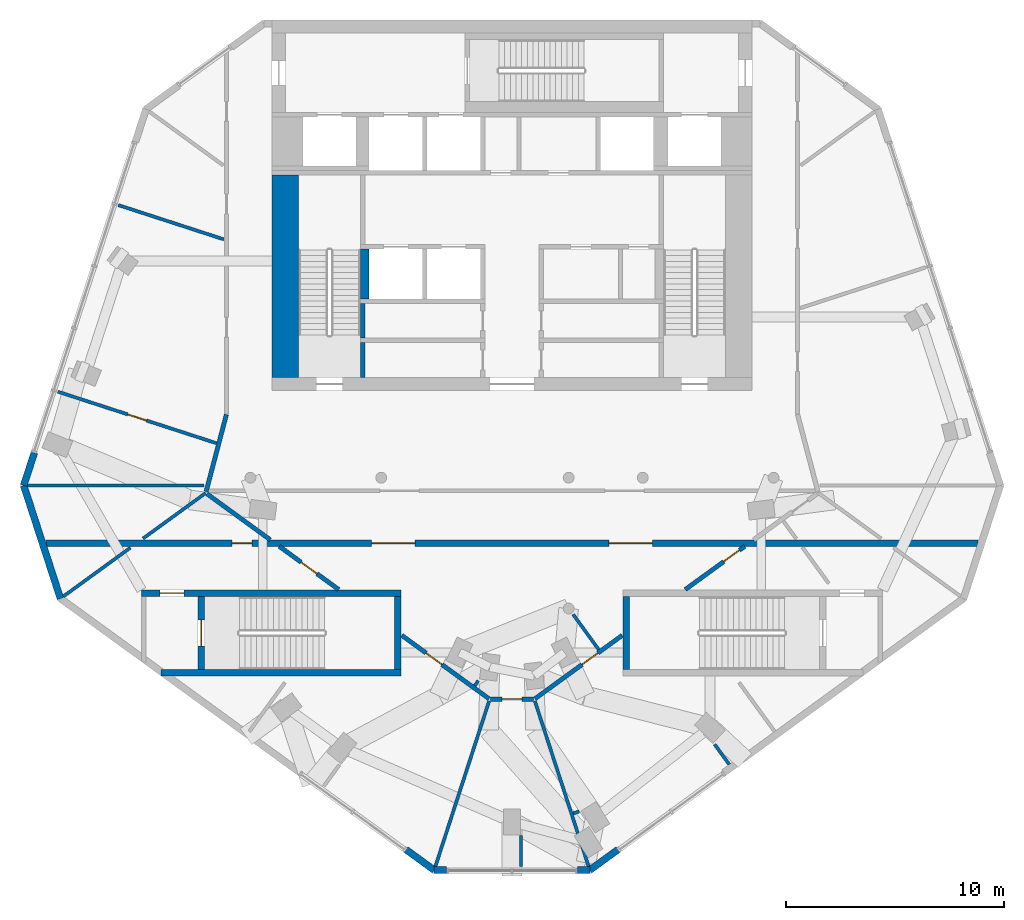
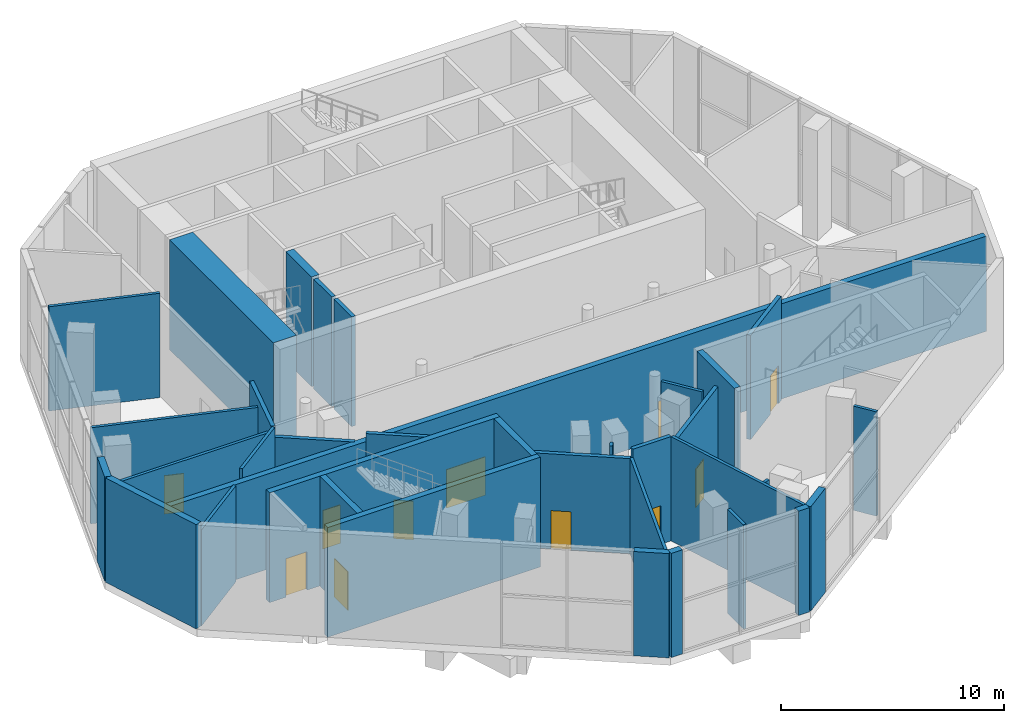
# One storey, part 6 of 11: 35 walls, 11 doors, 11 openings.
"""IFC4 building model written with IfcOpenShell, lengths in metres."""

from ifc_helpers import new_model, si_unit, direction, frame, frame_2d, origin, place, context, subcontext, project, spatial, rectangle, extrude, material, layer, layer_set, type_object, element, fill, save


model = new_model("IFC4")

# Units and contexts
model_context = context("Model", 3, precision=1e-05, world=origin(), true_north=direction((0.0, 1.0)))
body_context = subcontext(model_context, "Body", "Model", "MODEL_VIEW")
ifc_project = project(units=[si_unit("LENGTHUNIT", "METRE"), si_unit("AREAUNIT", "SQUARE_METRE"), si_unit("VOLUMEUNIT", "CUBIC_METRE"), si_unit("PLANEANGLEUNIT", "RADIAN"), si_unit("MASSUNIT", "GRAM", prefix="KILO")], contexts=[model_context])

# Site, building, storey
site_placement = place(None, origin())
site = spatial("IfcSite", under=ifc_project, at=site_placement, CompositionType="ELEMENT")
building_placement = place(site_placement, origin())
building = spatial("IfcBuilding", under=site, at=building_placement, Name="White Candle Pilgrim Tower", CompositionType="ELEMENT")
storey_placement = place(building_placement, frame((0.0, 0.0, 300.10009765625)))
storey = spatial("IfcBuildingStorey", under=building, at=storey_placement, Name="L71", CompositionType="ELEMENT", Elevation=300.10009765625)

# Wall, opening, door
ifc_material_1 = material(Name="Gypsum board on steel studs", Category="steel")
ifc_layer_1 = layer(ifc_material_1, 0.199951171875)
ifc_layer_set_1 = layer_set([ifc_layer_1], Name="Corridor wall 200 mm EI 45")
wall_type_1 = type_object("IfcWallType", Name="Corridor wall 200 mm EI 45", PredefinedType="PARTITIONING", material=ifc_layer_set_1)
wall_1_placement = place(storey_placement, frame((80.67626953125, 63.85009765625, 0.0), z_axis=(0.0, 0.0, 1.0), x_axis=(-0.809017922832, -0.587783974379, 0.0)))
wall_1 = element("IfcWall", 1, at=wall_1_placement, inside=storey, type_object=wall_type_1, Name="WL-L71-P005", PredefinedType="PARTITIONING", context=body_context, shape_type="SweptSolid", body=[
    extrude(rectangle(XDim=3.3701171875, YDim=0.199951171875, at=frame_2d((1.68505859375, 0.0))), origin(), (0.0, 0.0, 1.0), 5.699951171875),
])
opening_1_placement = place(wall_1_placement, frame((0.2919921875, 0.0, 0.0)))
opening_1 = element("IfcOpeningElement", 2, at=opening_1_placement, cuts=wall_1, Name="Opening L71-108", PredefinedType="OPENING", context=body_context, shape_type="SweptSolid", body=[
    extrude(rectangle(XDim=0.89990234375, YDim=2.10009765625, at=frame_2d((0.449951171875, 1.050048828125))), frame((0.0, 0.10986328125, 0.0), z_axis=(0.0, -1.0, 0.0), x_axis=(1.0, 0.0, 0.0)), (0.0, 0.0, 1.0), 0.219970703125),
])
ifc_material_2 = material(Name="Steel door leaf", Category="steel")
door_type_1 = type_object("IfcDoorType", Name="Fire door 900 x 2100 EI 30", OperationType="NOTDEFINED", PredefinedType="DOOR", material=ifc_material_2)
door_1_placement = place(opening_1_placement, origin())
door_1 = element("IfcDoor", 3, at=door_1_placement, inside=storey, type_object=door_type_1, Name="Door L71-108", OperationType="SINGLE_SWING_RIGHT", OverallHeight=2.10009765625, OverallWidth=0.89990234375, PredefinedType="DOOR", context=body_context, shape_type="SweptSolid", body=[
    extrude(rectangle(XDim=0.89990234375, YDim=2.10009765625, at=frame_2d((0.449951171875, 1.050048828125))), frame((0.0, 0.02490234375, 0.0), z_axis=(0.0, -1.0, 0.0), x_axis=(1.0, 0.0, 0.0)), (0.0, 0.0, 1.0), 0.050048828125),
])
fill(opening_1, door_1)

wall_2_placement = place(storey_placement, frame((75.058837890625, 59.768798828125, 0.0), z_axis=(0.0, 0.0, 1.0), x_axis=(-0.809010774922, -0.587793812539, 0.0)))
wall_2 = element("IfcWall", 4, at=wall_2_placement, inside=storey, type_object=wall_type_1, Name="WL-L71-P006", PredefinedType="PARTITIONING", context=body_context, shape_type="SweptSolid", body=[
    extrude(rectangle(XDim=4.956298828125, YDim=0.199951171875, at=frame_2d((2.47802734375, 0.0))), origin(), (0.0, 0.0, 1.0), 5.199951171875),
])
opening_2_placement = place(wall_2_placement, frame((1.37939453125, 0.0, 0.0)))
opening_2 = element("IfcOpeningElement", 5, at=opening_2_placement, cuts=wall_2, Name="Opening L71-107", PredefinedType="OPENING", context=body_context, shape_type="SweptSolid", body=[
    extrude(rectangle(XDim=0.89990234375, YDim=2.10009765625, at=frame_2d((0.449951171875, 1.050048828125))), frame((0.0, 0.10986328125, 0.0), z_axis=(0.0, -1.0, 0.0), x_axis=(1.0, 0.0, 0.0)), (0.0, 0.0, 1.0), 0.219970703125),
])
door_2_placement = place(opening_2_placement, origin())
door_2 = element("IfcDoor", 6, at=door_2_placement, inside=storey, type_object=door_type_1, Name="Door L71-107", OperationType="SINGLE_SWING_LEFT", OverallHeight=2.10009765625, OverallWidth=0.89990234375, PredefinedType="DOOR", context=body_context, shape_type="SweptSolid", body=[
    extrude(rectangle(XDim=0.89990234375, YDim=2.10009765625, at=frame_2d((0.449951171875, 1.050048828125))), frame((0.0, 0.02490234375, 0.0), z_axis=(0.0, -1.0, 0.0), x_axis=(1.0, 0.0, 0.0)), (0.0, 0.0, 1.0), 0.050048828125),
])
fill(opening_2, door_2)

wall_3_placement = place(storey_placement, frame((70.990234375, 56.836181640625, 0.0), z_axis=(0.0, 0.0, 1.0), x_axis=(-1.0, 0.0, 0.0)))
wall_3 = element("IfcWall", 7, at=wall_3_placement, inside=storey, type_object=wall_type_1, Name="WL-L71-P007", PredefinedType="PARTITIONING", context=body_context, shape_type="SweptSolid", body=[
    extrude(rectangle(XDim=1.98046875, YDim=0.199951171875, at=frame_2d((0.990234375, 0.0))), origin(), (0.0, 0.0, 1.0), 5.699951171875),
])
opening_3_placement = place(wall_3_placement, frame((0.540283203125, 0.0, 0.0)))
opening_3 = element("IfcOpeningElement", 8, at=opening_3_placement, cuts=wall_3, Name="Opening L71-106", PredefinedType="OPENING", context=body_context, shape_type="SweptSolid", body=[
    extrude(rectangle(XDim=0.89990234375, YDim=2.10009765625, at=frame_2d((0.449951171875, 1.050048828125))), frame((0.0, 0.10986328125, 0.0), z_axis=(0.0, -1.0, 0.0), x_axis=(1.0, 0.0, 0.0)), (0.0, 0.0, 1.0), 0.219970703125),
])
door_3_placement = place(opening_3_placement, origin())
door_3 = element("IfcDoor", 9, at=door_3_placement, inside=storey, type_object=door_type_1, Name="Door L71-106", OperationType="SINGLE_SWING_RIGHT", OverallHeight=2.10009765625, OverallWidth=0.89990234375, PredefinedType="DOOR", context=body_context, shape_type="SweptSolid", body=[
    extrude(rectangle(XDim=0.89990234375, YDim=2.10009765625, at=frame_2d((0.449951171875, 1.050048828125))), frame((0.0, 0.02490234375, 0.0), z_axis=(0.0, -1.0, 0.0), x_axis=(1.0, 0.0, 0.0)), (0.0, 0.0, 1.0), 0.050048828125),
])
fill(opening_3, door_3)

wall_4_placement = place(storey_placement, frame((68.950927734375, 56.85546875, 0.0), z_axis=(0.0, 0.0, 1.0), x_axis=(-0.809010774922, 0.587793812539, 0.0)))
wall_4 = element("IfcWall", 10, at=wall_4_placement, inside=storey, type_object=wall_type_1, Name="WL-L71-P008", PredefinedType="PARTITIONING", context=body_context, shape_type="SweptSolid", body=[
    extrude(rectangle(XDim=4.956298828125, YDim=0.199951171875, at=frame_2d((2.47802734375, 0.0))), origin(), (0.0, 0.0, 1.0), 5.199951171875),
])
opening_4_placement = place(wall_4_placement, frame((2.677001953125, 0.0, 0.0)))
opening_4 = element("IfcOpeningElement", 11, at=opening_4_placement, cuts=wall_4, Name="Opening L71-105", PredefinedType="OPENING", context=body_context, shape_type="SweptSolid", body=[
    extrude(rectangle(XDim=0.89990234375, YDim=2.10009765625, at=frame_2d((0.449951171875, 1.050048828125))), frame((0.0, 0.10986328125, 0.0), z_axis=(0.0, -1.0, 0.0), x_axis=(1.0, 0.0, 0.0)), (0.0, 0.0, 1.0), 0.219970703125),
])
door_4_placement = place(opening_4_placement, origin())
door_4 = element("IfcDoor", 12, at=door_4_placement, inside=storey, type_object=door_type_1, Name="Door L71-105", OperationType="SINGLE_SWING_LEFT", OverallHeight=2.10009765625, OverallWidth=0.89990234375, PredefinedType="DOOR", context=body_context, shape_type="SweptSolid", body=[
    extrude(rectangle(XDim=0.89990234375, YDim=2.10009765625, at=frame_2d((0.449951171875, 1.050048828125))), frame((0.0, 0.02490234375, 0.0), z_axis=(0.0, -1.0, 0.0), x_axis=(1.0, 0.0, 0.0)), (0.0, 0.0, 1.0), 0.050048828125),
])
fill(opening_4, door_4)

wall_5_placement = place(storey_placement, frame((62.05029296875, 61.869140625, 0.0), z_axis=(0.0, 0.0, 1.0), x_axis=(-0.809017922832, 0.587783974379, 0.0)))
wall_5 = element("IfcWall", 13, at=wall_5_placement, inside=storey, type_object=wall_type_1, Name="WL-L71-P009", PredefinedType="PARTITIONING", context=body_context, shape_type="SweptSolid", body=[
    extrude(rectangle(XDim=3.3701171875, YDim=0.199951171875, at=frame_2d((1.68505859375, 0.0))), origin(), (0.0, 0.0, 1.0), 5.699951171875),
])
opening_5_placement = place(wall_5_placement, frame((1.235107421875, 0.0, 0.0)))
opening_5 = element("IfcOpeningElement", 14, at=opening_5_placement, cuts=wall_5, Name="Opening L71-117", PredefinedType="OPENING", context=body_context, shape_type="SweptSolid", body=[
    extrude(rectangle(XDim=0.89990234375, YDim=2.10009765625, at=frame_2d((0.449951171875, 1.050048828125))), frame((0.0, 0.10986328125, 0.0), z_axis=(0.0, -1.0, 0.0), x_axis=(1.0, 0.0, 0.0)), (0.0, 0.0, 1.0), 0.219970703125),
])
door_5_placement = place(opening_5_placement, origin())
door_5 = element("IfcDoor", 15, at=door_5_placement, inside=storey, type_object=door_type_1, Name="Door L71-117", OperationType="SINGLE_SWING_LEFT", OverallHeight=2.10009765625, OverallWidth=0.89990234375, PredefinedType="DOOR", context=body_context, shape_type="SweptSolid", body=[
    extrude(rectangle(XDim=0.89990234375, YDim=2.10009765625, at=frame_2d((0.449951171875, 1.050048828125))), frame((0.0, 0.02490234375, 0.0), z_axis=(0.0, -1.0, 0.0), x_axis=(1.0, 0.0, 0.0)), (0.0, 0.0, 1.0), 0.050048828125),
])
fill(opening_5, door_5)

# Walls
wall_6_placement = place(storey_placement, frame((58.910888671875, 64.14990234375, 0.0), z_axis=(0.0, 0.0, 1.0), x_axis=(-0.809026987684, 0.587771497437, 0.0)))
element("IfcWall", 16, at=wall_6_placement, inside=storey, type_object=wall_type_1, Name="WL-L71-P010", PredefinedType="PARTITIONING", context=body_context, shape_type="SweptSolid", body=[
    extrude(rectangle(XDim=3.591552734375, YDim=0.199951171875, at=frame_2d((1.7958984375, 0.0))), origin(), (0.0, 0.0, 1.0), 5.199951171875),
])
wall_7_placement = place(storey_placement, frame((55.96728515625, 66.367431640625, 0.0), z_axis=(0.0, 0.0, 1.0), x_axis=(0.254618397002, 0.967041608158, 0.0)))
element("IfcWall", 17, at=wall_7_placement, inside=storey, type_object=wall_type_1, Name="WL-L71-P011", PredefinedType="PARTITIONING", context=body_context, shape_type="SweptSolid", body=[
    extrude(rectangle(XDim=3.650390625, YDim=0.199951171875, at=frame_2d((1.8251953125, 0.0))), origin(), (0.0, 0.0, 1.0), 5.699951171875),
])
ifc_material_3 = material(Name="Precast concrete C40/50", Category="concrete")
ifc_layer_2 = layer(ifc_material_3, 0.320068359375)
ifc_layer_set_2 = layer_set([ifc_layer_2], Name="Facade wall EW1 precast concrete C40/50 pier wall with timber-lined reveals")
wall_type_2 = type_object("IfcWallType", Name="Facade wall EW1 precast concrete C40/50 pier wall with timber-lined reveals", PredefinedType="SOLIDWALL", material=ifc_layer_set_2)
wall_8_placement = place(storey_placement, frame((47.59521484375, 66.6435546875, 0.0), z_axis=(0.0, 0.0, 1.0), x_axis=(0.30900814357, -0.951059392051, 0.0)))
element("IfcWall", 18, at=wall_8_placement, inside=storey, type_object=wall_type_2, Name="Facade wall L71 W chamfer", PredefinedType="SOLIDWALL", context=body_context, shape_type="SweptSolid", body=[
    extrude(rectangle(XDim=5.45458984375, YDim=0.320068359375, at=frame_2d((2.727294921875, 0.0))), origin(), (0.0, 0.0, 1.0), 5.699951171875),
])
wall_9_placement = place(storey_placement, frame((65.136474609375, 49.93603515625, 0.0), z_axis=(0.0, 0.0, 1.0), x_axis=(0.809033137517, -0.587763032522, 0.0)))
element("IfcWall", 19, at=wall_9_placement, inside=storey, type_object=wall_type_2, Name="Facade wall L71 SW", PredefinedType="SOLIDWALL", context=body_context, shape_type="SweptSolid", body=[
    extrude(rectangle(XDim=1.598876953125, YDim=0.320068359375, at=frame_2d((0.79931640625, 0.0))), origin(), (0.0, 0.0, 1.0), 5.699951171875),
])
for number, where, z_axis, x_axis, name in (
    (20, (66.429931640625, 48.996337890625, 0.0), (0.0, 0.0, 1.0), (1.0, 0.0, 0.0), "Facade wall L71 S chamfer"),
    (21, (73.0, 48.996337890625, 0.0), (0.0, 0.0, 1.0), (1.0, 0.0, 0.0), "Facade wall L71 S chamfer"),
):
    element("IfcWall", number, at=place(storey_placement, frame(where, z_axis=z_axis, x_axis=x_axis)), inside=storey, type_object=wall_type_2, Name=name, PredefinedType="SOLIDWALL", context=body_context, shape_type="SweptSolid", body=[
        extrude(rectangle(XDim=0.570068359375, YDim=0.320068359375, at=frame_2d((0.28515625, 0.0))), origin(), (0.0, 0.0, 1.0), 5.699951171875),
    ])
wall_10_placement = place(storey_placement, frame((73.570068359375, 48.996337890625, 0.0), z_axis=(0.0, 0.0, 1.0), x_axis=(0.809033137517, 0.587763032522, 0.0)))
element("IfcWall", 22, at=wall_10_placement, inside=storey, type_object=wall_type_2, Name="Facade wall L71 SE", PredefinedType="SOLIDWALL", context=body_context, shape_type="SweptSolid", body=[
    extrude(rectangle(XDim=1.598876953125, YDim=0.320068359375, at=frame_2d((0.79931640625, 0.0))), origin(), (0.0, 0.0, 1.0), 5.699951171875),
])
wall_11_placement = place(storey_placement, frame((48.08251953125, 68.143798828125, 0.0), z_axis=(0.0, 0.0, 1.0), x_axis=(-0.308928582, -0.951085238674, 0.0)))
element("IfcWall", 23, at=wall_11_placement, inside=storey, type_object=wall_type_2, Name="Facade wall L71 WNW", PredefinedType="SOLIDWALL", context=body_context, shape_type="SweptSolid", body=[
    extrude(rectangle(XDim=1.577392578125, YDim=0.320068359375, at=frame_2d((0.78857421875, 0.0))), origin(), (0.0, 0.0, 1.0), 5.699951171875),
])

# Wall, openings, doors
ifc_material_4 = material(Name="Aerated concrete block", Category="concrete")
ifc_layer_3 = layer(ifc_material_4, 0.300048828125)
ifc_layer_set_3 = layer_set([ifc_layer_3], Name="Fire wall 300 mm REI 240")
wall_type_3 = type_object("IfcWallType", Name="Fire wall 300 mm REI 240", PredefinedType="PARTITIONING", material=ifc_layer_set_3)
wall_12_placement = place(storey_placement, frame((48.622314453125, 64.0, 0.0), z_axis=(0.0, 0.0, 1.0), x_axis=(1.0, 0.0, 0.0)))
wall_12 = element("IfcWall", 24, at=wall_12_placement, inside=storey, type_object=wall_type_3, Name="WL-L71-P001", PredefinedType="PARTITIONING", context=body_context, shape_type="SweptSolid", body=[
    extrude(rectangle(XDim=42.75537109375, YDim=0.300048828125, at=frame_2d((21.377685546875, 0.0))), origin(), (0.0, 0.0, 1.0), 5.199951171875),
])
opening_6_placement = place(wall_12_placement, frame((8.540771484375, 0.0, 0.0)))
opening_6 = element("IfcOpeningElement", 25, at=opening_6_placement, cuts=wall_12, Name="Opening L71-104", PredefinedType="OPENING", context=body_context, shape_type="SweptSolid", body=[
    extrude(rectangle(XDim=0.89990234375, YDim=2.10009765625, at=frame_2d((0.449951171875, 1.050048828125))), frame((0.0, 0.159912109375, 0.0), z_axis=(0.0, -1.0, 0.0), x_axis=(1.0, 0.0, 0.0)), (0.0, 0.0, 1.0), 0.320068359375),
])
opening_7_placement = place(wall_12_placement, frame((14.936279296875, 0.0, 0.0)))
opening_7 = element("IfcOpeningElement", 26, at=opening_7_placement, cuts=wall_12, Name="Opening L71-115", PredefinedType="OPENING", context=body_context, shape_type="SweptSolid", body=[
    extrude(rectangle(XDim=2.0, YDim=2.10009765625, at=frame_2d((1.0, 1.050048828125))), frame((0.0, 0.159912109375, 0.0), z_axis=(0.0, -1.0, 0.0), x_axis=(1.0, 0.0, 0.0)), (0.0, 0.0, 1.0), 0.320068359375),
])
opening_8_placement = place(wall_12_placement, frame((25.819091796875, 0.0, 0.0)))
opening_8 = element("IfcOpeningElement", 27, at=opening_8_placement, cuts=wall_12, Name="Opening L71-116", PredefinedType="OPENING", context=body_context, shape_type="SweptSolid", body=[
    extrude(rectangle(XDim=2.0, YDim=2.10009765625, at=frame_2d((1.0, 1.050048828125))), frame((0.0, 0.159912109375, 0.0), z_axis=(0.0, -1.0, 0.0), x_axis=(1.0, 0.0, 0.0)), (0.0, 0.0, 1.0), 0.320068359375),
])
door_type_2 = type_object("IfcDoorType", Name="Fire door 2000 x 2100 EI 60", OperationType="NOTDEFINED", PredefinedType="DOOR", material=ifc_material_2)
door_6_placement = place(opening_7_placement, origin())
door_6 = element("IfcDoor", 28, at=door_6_placement, inside=storey, type_object=door_type_2, Name="Door L71-115", OperationType="DOUBLE_DOOR_SINGLE_SWING", OverallHeight=2.10009765625, OverallWidth=2.0, PredefinedType="DOOR", context=body_context, shape_type="SweptSolid", body=[
    extrude(rectangle(XDim=2.0, YDim=2.10009765625, at=frame_2d((1.0, 1.050048828125))), frame((0.0, 0.02490234375, 0.0), z_axis=(0.0, -1.0, 0.0), x_axis=(1.0, 0.0, 0.0)), (0.0, 0.0, 1.0), 0.050048828125),
])
fill(opening_7, door_6)
door_7_placement = place(opening_8_placement, origin())
door_7 = element("IfcDoor", 29, at=door_7_placement, inside=storey, type_object=door_type_2, Name="Door L71-116", OperationType="DOUBLE_DOOR_SINGLE_SWING", OverallHeight=2.10009765625, OverallWidth=2.0, PredefinedType="DOOR", context=body_context, shape_type="SweptSolid", body=[
    extrude(rectangle(XDim=2.0, YDim=2.10009765625, at=frame_2d((1.0, 1.050048828125))), frame((0.0, 0.02490234375, 0.0), z_axis=(0.0, -1.0, 0.0), x_axis=(1.0, 0.0, 0.0)), (0.0, 0.0, 1.0), 0.050048828125),
])
fill(opening_8, door_7)
door_8_placement = place(opening_6_placement, frame((0.89990234375, 0.0, 0.0), z_axis=(0.0, 0.0, 1.0), x_axis=(-1.0, 0.0, 0.0)))
door_8 = element("IfcDoor", 30, at=door_8_placement, inside=storey, type_object=door_type_1, Name="Door L71-104", OperationType="SINGLE_SWING_LEFT", OverallHeight=2.10009765625, OverallWidth=0.89990234375, PredefinedType="DOOR", context=body_context, shape_type="SweptSolid", body=[
    extrude(rectangle(XDim=0.89990234375, YDim=2.10009765625, at=frame_2d((0.449951171875, 1.050048828125))), frame((0.0, 0.02490234375, 0.0), z_axis=(0.0, -1.0, 0.0), x_axis=(1.0, 0.0, 0.0)), (0.0, 0.0, 1.0), 0.050048828125),
])
fill(opening_6, door_8)

# Walls
ifc_layer_4 = layer(ifc_material_1, 0.14990234375)
ifc_layer_set_4 = layer_set([ifc_layer_4], Name="Partition 150 mm EI 60")
wall_type_4 = type_object("IfcWallType", Name="Partition 150 mm EI 60", PredefinedType="PARTITIONING", material=ifc_layer_set_4)
wall_13_placement = place(storey_placement, frame((47.763427734375, 66.6435546875, 0.0), z_axis=(0.0, 0.0, 1.0), x_axis=(1.0, 0.0, 0.0)))
element("IfcWall", 31, at=wall_13_placement, inside=storey, type_object=wall_type_4, Name="WL-L71-P014", PredefinedType="PARTITIONING", context=body_context, shape_type="SweptSolid", body=[
    extrude(rectangle(XDim=8.09619140625, YDim=0.14990234375, at=frame_2d((4.048095703125, 0.0))), origin(), (0.0, 0.0, 1.0), 5.25),
])
wall_14_placement = place(storey_placement, frame((49.4169921875, 61.5546875, 0.0), z_axis=(0.0, 0.0, 1.0), x_axis=(0.808994279643, 0.587816515168, 0.0)))
element("IfcWall", 32, at=wall_14_placement, inside=storey, type_object=wall_type_4, Name="WL-L71-P015", PredefinedType="PARTITIONING", context=body_context, shape_type="SweptSolid", body=[
    extrude(rectangle(XDim=3.801513671875, YDim=0.14990234375, at=frame_2d((1.90087890625, 0.0))), origin(), (0.0, 0.0, 1.0), 5.25),
])
wall_15_placement = place(storey_placement, frame((53.072509765625, 64.210693359375, 0.0), z_axis=(0.0, 0.0, 1.0), x_axis=(0.809009822352, 0.587795123608, 0.0)))
element("IfcWall", 33, at=wall_15_placement, inside=storey, type_object=wall_type_4, Name="WL-L71-P016", PredefinedType="PARTITIONING", context=body_context, shape_type="SweptSolid", body=[
    extrude(rectangle(XDim=3.547119140625, YDim=0.14990234375, at=frame_2d((1.7734375, 0.0))), origin(), (0.0, 0.0, 1.0), 5.699951171875),
])
wall_16_placement = place(storey_placement, frame((66.48193359375, 49.15625, 0.0), z_axis=(0.0, 0.0, 1.0), x_axis=(0.309004544659, 0.951060561363, 0.0)))
element("IfcWall", 34, at=wall_16_placement, inside=storey, type_object=wall_type_4, Name="WL-L71-P017", PredefinedType="PARTITIONING", context=body_context, shape_type="SweptSolid", body=[
    extrude(rectangle(XDim=7.990234375, YDim=0.14990234375, at=frame_2d((3.9951171875, 0.0))), origin(), (0.0, 0.0, 1.0), 5.25),
])
wall_17_placement = place(storey_placement, frame((73.51806640625, 49.15625, 0.0), z_axis=(0.0, 0.0, 1.0), x_axis=(-0.309004544659, 0.951060561363, 0.0)))
element("IfcWall", 35, at=wall_17_placement, inside=storey, type_object=wall_type_4, Name="WL-L71-P018", PredefinedType="PARTITIONING", context=body_context, shape_type="SweptSolid", body=[
    extrude(rectangle(XDim=7.990234375, YDim=0.14990234375, at=frame_2d((3.9951171875, 0.0))), origin(), (0.0, 0.0, 1.0), 5.699951171875),
])
wall_18_placement = place(storey_placement, frame((51.943115234375, 79.5068359375, 0.0), z_axis=(0.0, 0.0, 1.0), x_axis=(0.951057717188, -0.309013298382, 0.0)))
element("IfcWall", 36, at=wall_18_placement, inside=storey, type_object=wall_type_4, Name="WL-L71-P023", PredefinedType="PARTITIONING", context=body_context, shape_type="SweptSolid", body=[
    extrude(rectangle(XDim=5.08251953125, YDim=0.14990234375, at=frame_2d((2.541259765625, 0.0))), origin(), (0.0, 0.0, 1.0), 5.699951171875),
])

# Wall, opening, door
wall_19_placement = place(storey_placement, frame((49.161865234375, 70.947509765625, 0.0), z_axis=(0.0, 0.0, 1.0), x_axis=(0.951051176094, -0.30903342934, 0.0)))
wall_19 = element("IfcWall", 37, at=wall_19_placement, inside=storey, type_object=wall_type_4, Name="WL-L71-P024", PredefinedType="PARTITIONING", context=body_context, shape_type="SweptSolid", body=[
    extrude(rectangle(XDim=7.6552734375, YDim=0.14990234375, at=frame_2d((3.82763671875, 0.0))), origin(), (0.0, 0.0, 1.0), 5.25),
])
opening_9_placement = place(wall_19_placement, frame((3.377685546875, 0.0, 0.0)))
opening_9 = element("IfcOpeningElement", 38, at=opening_9_placement, cuts=wall_19, Name="Opening L71-118", PredefinedType="OPENING", context=body_context, shape_type="SweptSolid", body=[
    extrude(rectangle(XDim=0.89990234375, YDim=2.10009765625, at=frame_2d((0.449951171875, 1.050048828125))), frame((0.0, 0.0849609375, 0.0), z_axis=(0.0, -1.0, 0.0), x_axis=(1.0, 0.0, 0.0)), (0.0, 0.0, 1.0), 0.169921875),
])
door_9_placement = place(opening_9_placement, frame((0.89990234375, 0.0, 0.0), z_axis=(0.0, 0.0, 1.0), x_axis=(-1.0, 0.0, 0.0)))
door_9 = element("IfcDoor", 39, at=door_9_placement, inside=storey, type_object=door_type_1, Name="Door L71-118", OperationType="SINGLE_SWING_LEFT", OverallHeight=2.10009765625, OverallWidth=0.89990234375, PredefinedType="DOOR", context=body_context, shape_type="SweptSolid", body=[
    extrude(rectangle(XDim=0.89990234375, YDim=2.10009765625, at=frame_2d((0.449951171875, 1.050048828125))), frame((0.0, 0.02490234375, 0.0), z_axis=(0.0, -1.0, 0.0), x_axis=(1.0, 0.0, 0.0)), (0.0, 0.0, 1.0), 0.050048828125),
])
fill(opening_9, door_9)

# Walls
wall_20_placement = place(storey_placement, frame((70.409912109375, 50.580078125, 0.0), z_axis=(0.0, 0.0, 1.0), x_axis=(0.0, -1.0, 0.0)))
element("IfcWall", 40, at=wall_20_placement, inside=storey, type_object=wall_type_4, Name="WL-L71-P032", PredefinedType="PARTITIONING", context=body_context, shape_type="SweptSolid", body=[
    extrude(rectangle(XDim=1.423828125, YDim=0.14990234375, at=frame_2d((0.7119140625, 0.0))), origin(), (0.0, 0.0, 1.0), 5.699951171875),
])
wall_21_placement = place(storey_placement, frame((73.084716796875, 51.688720703125, 0.0), z_axis=(0.0, 0.0, 1.0), x_axis=(-0.951052283617, -0.309030020915, 0.0)))
element("IfcWall", 41, at=wall_21_placement, inside=storey, type_object=wall_type_4, Name="WL-L71-P033", PredefinedType="PARTITIONING", context=body_context, shape_type="SweptSolid", body=[
    extrude(rectangle(XDim=0.29541015625, YDim=0.14990234375, at=frame_2d((0.147705078125, 0.0))), origin(), (0.0, 0.0, 1.0), 5.699951171875),
])
wall_22_placement = place(storey_placement, frame((79.298583984375, 54.765380859375, 0.0), z_axis=(0.0, 0.0, 1.0), x_axis=(0.587802397039, -0.80900453771, 0.0)))
element("IfcWall", 42, at=wall_22_placement, inside=storey, type_object=wall_type_4, Name="WL-L71-P034", PredefinedType="PARTITIONING", context=body_context, shape_type="SweptSolid", body=[
    extrude(rectangle(XDim=1.14013671875, YDim=0.14990234375, at=frame_2d((0.570068359375, 0.0))), origin(), (0.0, 0.0, 1.0), 5.699951171875),
])
wall_23_placement = place(storey_placement, frame((68.45556640625, 57.691650390625, 0.0), z_axis=(0.0, 0.0, 1.0), x_axis=(-0.587612124506, -0.809142750776, 0.0)))
element("IfcWall", 43, at=wall_23_placement, inside=storey, type_object=wall_type_4, Name="WL-L71-P035", PredefinedType="PARTITIONING", context=body_context, shape_type="SweptSolid", body=[
    extrude(rectangle(XDim=0.285400390625, YDim=0.14990234375, at=frame_2d((0.142578125, 0.0))), origin(), (0.0, 0.0, 1.0), 5.699951171875),
])
wall_24_placement = place(storey_placement, frame((72.8046875, 60.728515625, 0.0), z_axis=(0.0, 0.0, 1.0), x_axis=(0.587830755478, -0.80898393242, 0.0)))
element("IfcWall", 44, at=wall_24_placement, inside=storey, type_object=wall_type_4, Name="WL-L71-P036", PredefinedType="PARTITIONING", context=body_context, shape_type="SweptSolid", body=[
    extrude(rectangle(XDim=2.00146484375, YDim=0.14990234375, at=frame_2d((1.000732421875, 0.0))), origin(), (0.0, 0.0, 1.0), 5.699951171875),
])
ifc_material_5 = material(Name="Concrete C40/50", Category="concrete")
ifc_layer_5 = layer(ifc_material_5, 1.199951171875)
ifc_layer_set_5 = layer_set([ifc_layer_5], Name="Stair shaft wall 1200 mm Concrete C40/50")
wall_type_5 = type_object("IfcWallType", Name="Stair shaft wall 1200 mm Concrete C40/50", PredefinedType="SHEAR", material=ifc_layer_set_5)
wall_25_placement = place(storey_placement, frame((59.60009765625, 71.60009765625, 0.0), z_axis=(0.0, 0.0, 1.0), x_axis=(0.0, 1.0, 0.0)))
element("IfcWall", 45, at=wall_25_placement, inside=storey, type_object=wall_type_5, Name="WL-L71-C12", PredefinedType="SHEAR", context=body_context, shape_type="SweptSolid", body=[
    extrude(rectangle(XDim=9.2998046875, YDim=1.199951171875, at=frame_2d((4.64990234375, 0.0))), origin(), (0.0, 0.0, 1.0), 6.0),
])
ifc_layer_6 = layer(ifc_material_5, 0.199951171875)
ifc_layer_set_6 = layer_set([ifc_layer_6], Name="Stair shaft wall 200 mm Concrete C40/50")
wall_type_6 = type_object("IfcWallType", Name="Stair shaft wall 200 mm Concrete C40/50", PredefinedType="SHEAR", material=ifc_layer_set_6)
wall_26_placement = place(storey_placement, frame((63.14990234375, 71.60009765625, 0.0), z_axis=(0.0, 0.0, 1.0), x_axis=(0.0, 1.0, 0.0)))
element("IfcWall", 46, at=wall_26_placement, inside=storey, type_object=wall_type_6, Name="WL-L71-C13", PredefinedType="SHEAR", context=body_context, shape_type="SweptSolid", body=[
    extrude(rectangle(XDim=1.599853515625, YDim=0.199951171875, at=frame_2d((0.7998046875, 0.0))), origin(), (0.0, 0.0, 1.0), 6.0),
])
wall_27_placement = place(storey_placement, frame((63.14990234375, 73.39990234375, 0.0), z_axis=(0.0, 0.0, 1.0), x_axis=(0.0, 1.0, 0.0)))
element("IfcWall", 47, at=wall_27_placement, inside=storey, type_object=wall_type_6, Name="WL-L71-C20", PredefinedType="SHEAR", context=body_context, shape_type="SweptSolid", body=[
    extrude(rectangle(XDim=1.60009765625, YDim=0.199951171875, at=frame_2d((0.800048828125, 0.0))), origin(), (0.0, 0.0, 1.0), 6.0),
])
ifc_layer_7 = layer(ifc_material_5, 0.300048828125)
ifc_layer_set_7 = layer_set([ifc_layer_7], Name="Stair shaft wall 300 mm Concrete C40/50")
wall_type_7 = type_object("IfcWallType", Name="Stair shaft wall 300 mm Concrete C40/50", PredefinedType="SHEAR", material=ifc_layer_set_7)
wall_28_placement = place(storey_placement, frame((53.90283203125, 58.050048828125, 0.0), z_axis=(0.0, 0.0, 1.0), x_axis=(1.0, 0.0, 0.0)))
element("IfcWall", 48, at=wall_28_placement, inside=storey, type_object=wall_type_7, Name="WL-L71-C01", PredefinedType="SHEAR", context=body_context, shape_type="SweptSolid", body=[
    extrude(rectangle(XDim=10.9970703125, YDim=0.300048828125, at=frame_2d((5.49853515625, 0.0))), origin(), (0.0, 0.0, 1.0), 6.0),
])

# Wall, opening, door
wall_29_placement = place(storey_placement, frame((55.75, 58.199951171875, 0.0), z_axis=(0.0, 0.0, 1.0), x_axis=(0.0, 1.0, 0.0)))
wall_29 = element("IfcWall", 49, at=wall_29_placement, inside=storey, type_object=wall_type_7, Name="WL-L71-C03", PredefinedType="SHEAR", context=body_context, shape_type="SweptSolid", body=[
    extrude(rectangle(XDim=3.35009765625, YDim=0.300048828125, at=frame_2d((1.675048828125, 0.0))), origin(), (0.0, 0.0, 1.0), 6.0),
])
opening_10_placement = place(wall_29_placement, frame((1.074951171875, 0.0, 0.0)))
opening_10 = element("IfcOpeningElement", 50, at=opening_10_placement, cuts=wall_29, Name="Opening L71-012", PredefinedType="OPENING", context=body_context, shape_type="SweptSolid", body=[
    extrude(rectangle(XDim=1.199951171875, YDim=2.10009765625, at=frame_2d((0.60009765625, 1.050048828125))), frame((0.0, 0.159912109375, 0.0), z_axis=(0.0, -1.0, 0.0), x_axis=(1.0, 0.0, 0.0)), (0.0, 0.0, 1.0), 0.320068359375),
])
door_type_3 = type_object("IfcDoorType", Name="Fire door 1200 x 2100 EI 60", OperationType="NOTDEFINED", PredefinedType="DOOR", material=ifc_material_2)
door_10_placement = place(opening_10_placement, frame((1.199951171875, 0.0, 0.0), z_axis=(0.0, 0.0, 1.0), x_axis=(-1.0, 0.0, 0.0)))
door_10 = element("IfcDoor", 51, at=door_10_placement, inside=storey, type_object=door_type_3, Name="Door L71-012", OperationType="SINGLE_SWING_LEFT", OverallHeight=2.10009765625, OverallWidth=1.199951171875, PredefinedType="DOOR", context=body_context, shape_type="SweptSolid", body=[
    extrude(rectangle(XDim=1.199951171875, YDim=2.10009765625, at=frame_2d((0.60009765625, 1.050048828125))), frame((0.0, 0.02490234375, 0.0), z_axis=(0.0, -1.0, 0.0), x_axis=(1.0, 0.0, 0.0)), (0.0, 0.0, 1.0), 0.050048828125),
])
fill(opening_10, door_10)

# Walls
for number, where, z_axis, x_axis, name in (
    (52, (64.75, 58.199951171875, 0.0), (0.0, 0.0, 1.0), (0.0, 1.0, 0.0), "WL-L71-C04"),
    (53, (75.25, 58.199951171875, 0.0), (0.0, 0.0, 1.0), (0.0, 1.0, 0.0), "WL-L71-C05"),
):
    element("IfcWall", number, at=place(storey_placement, frame(where, z_axis=z_axis, x_axis=x_axis)), inside=storey, type_object=wall_type_7, Name=name, PredefinedType="SHEAR", context=body_context, shape_type="SweptSolid", body=[
        extrude(rectangle(XDim=3.35009765625, YDim=0.300048828125, at=frame_2d((1.675048828125, 0.0))), origin(), (0.0, 0.0, 1.0), 6.0),
    ])

# Wall, opening, door
wall_30_placement = place(storey_placement, frame((53.0, 61.699951171875, 0.0), z_axis=(0.0, 0.0, 1.0), x_axis=(1.0, 0.0, 0.0)))
wall_30 = element("IfcWall", 54, at=wall_30_placement, inside=storey, type_object=wall_type_7, Name="WL-L71-C09", PredefinedType="SHEAR", context=body_context, shape_type="SweptSolid", body=[
    extrude(rectangle(XDim=11.89990234375, YDim=0.300048828125, at=frame_2d((5.949951171875, 0.0))), origin(), (0.0, 0.0, 1.0), 6.0),
])
opening_11_placement = place(wall_30_placement, frame((0.85009765625, 0.0, 0.0)))
opening_11 = element("IfcOpeningElement", 55, at=opening_11_placement, cuts=wall_30, Name="Opening L71-011", PredefinedType="OPENING", context=body_context, shape_type="SweptSolid", body=[
    extrude(rectangle(XDim=1.10009765625, YDim=2.10009765625, at=frame_2d((0.550048828125, 1.050048828125))), frame((0.0, 0.159912109375, 0.0), z_axis=(0.0, -1.0, 0.0), x_axis=(1.0, 0.0, 0.0)), (0.0, 0.0, 1.0), 0.320068359375),
])
door_type_4 = type_object("IfcDoorType", Name="Fire door 1100 x 2100 EI 60", OperationType="NOTDEFINED", PredefinedType="DOOR", material=ifc_material_2)
door_11_placement = place(opening_11_placement, frame((1.10009765625, 0.0, 0.0), z_axis=(0.0, 0.0, 1.0), x_axis=(-1.0, 0.0, 0.0)))
door_11 = element("IfcDoor", 56, at=door_11_placement, inside=storey, type_object=door_type_4, Name="Door L71-011", OperationType="SINGLE_SWING_RIGHT", OverallHeight=2.10009765625, OverallWidth=1.10009765625, PredefinedType="DOOR", context=body_context, shape_type="SweptSolid", body=[
    extrude(rectangle(XDim=1.10009765625, YDim=2.10009765625, at=frame_2d((0.550048828125, 1.050048828125))), frame((0.0, 0.02490234375, 0.0), z_axis=(0.0, -1.0, 0.0), x_axis=(1.0, 0.0, 0.0)), (0.0, 0.0, 1.0), 0.050048828125),
])
fill(opening_11, door_11)

# Wall
ifc_layer_8 = layer(ifc_material_5, 0.39990234375)
ifc_layer_set_8 = layer_set([ifc_layer_8], Name="Stair shaft wall 400 mm Concrete C40/50")
wall_type_8 = type_object("IfcWallType", Name="Stair shaft wall 400 mm Concrete C40/50", PredefinedType="SHEAR", material=ifc_layer_set_8)
wall_31_placement = place(storey_placement, frame((63.25, 75.199951171875, 0.0), z_axis=(0.0, 0.0, 1.0), x_axis=(0.0, 1.0, 0.0)))
element("IfcWall", 57, at=wall_31_placement, inside=storey, type_object=wall_type_8, Name="WL-L71-C26", PredefinedType="SHEAR", context=body_context, shape_type="SweptSolid", body=[
    extrude(rectangle(XDim=2.300048828125, YDim=0.39990234375, at=frame_2d((1.14990234375, 0.0))), origin(), (0.0, 0.0, 1.0), 6.0),
])

save(model, "model.ifc")
